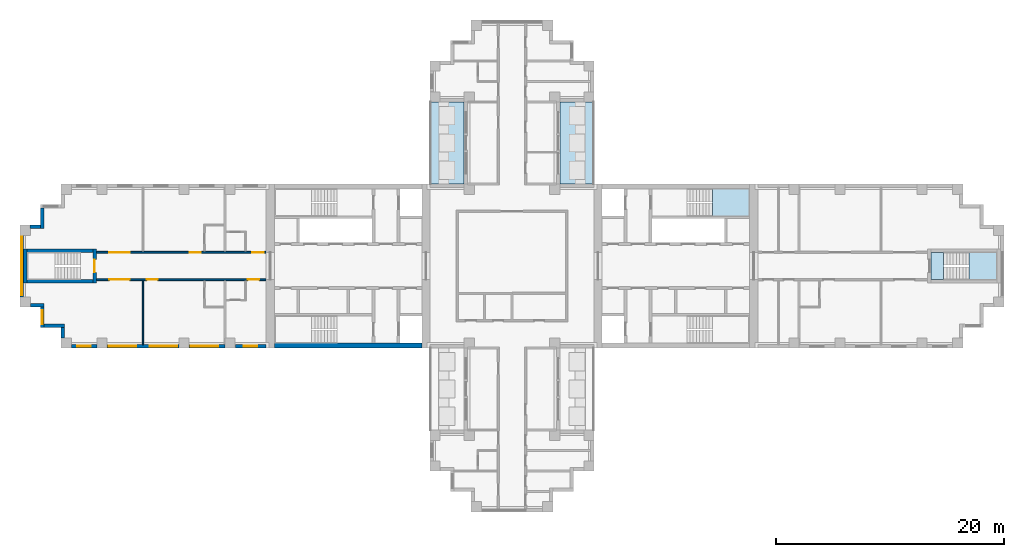
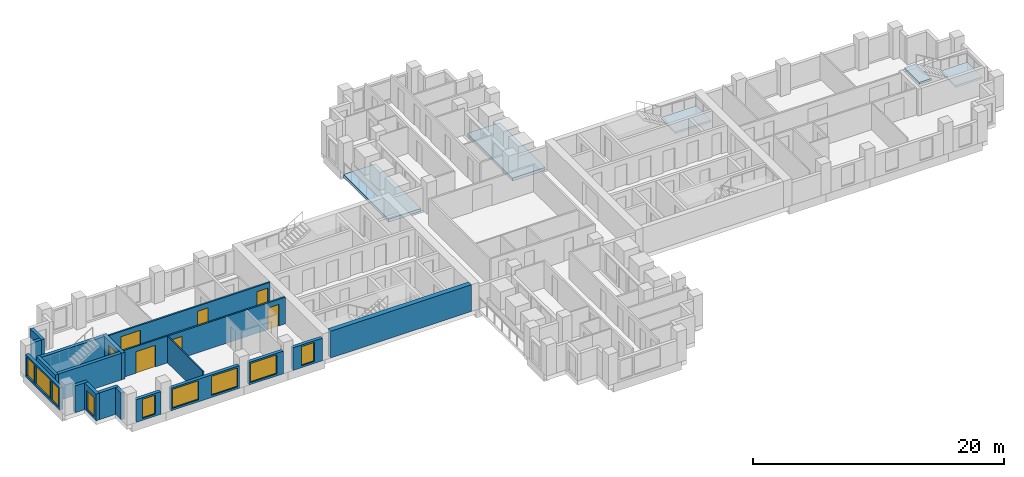
# One storey, part 2 of 11: 19 walls, 9 windows, 7 doors, 5 slabs, 16 openings, 2 elements without a shape of their own.
"""IFC4 building model written with IfcOpenShell, lengths in metres."""

from ifc_helpers import new_model, si_unit, direction, frame, frame_2d, origin, place, context, subcontext, project, spatial, polyline, rectangle, outline, extrude, material, layer, layer_set, type_object, element, fill, aggregate, save


model = new_model("IFC4")

# Units and contexts
model_context = context("Model", 3, precision=1e-05, world=origin(), true_north=direction((0.0, 1.0)))
body_context = subcontext(model_context, "Body", "Model", "MODEL_VIEW")
ifc_project = project(units=[si_unit("LENGTHUNIT", "METRE"), si_unit("AREAUNIT", "SQUARE_METRE"), si_unit("VOLUMEUNIT", "CUBIC_METRE"), si_unit("PLANEANGLEUNIT", "RADIAN"), si_unit("MASSUNIT", "GRAM", prefix="KILO")], contexts=[model_context])

# Site, building, storey
site_placement = place(None, origin())
site = spatial("IfcSite", under=ifc_project, at=site_placement, CompositionType="ELEMENT")
building_placement = place(site_placement, origin())
building = spatial("IfcBuilding", under=site, at=building_placement, Name="Fustian Cross Tower", CompositionType="ELEMENT")
storey_placement = place(building_placement, frame((0.0, 0.0, 123.300048828125)))
storey = spatial("IfcBuildingStorey", under=building, at=storey_placement, Name="L38", CompositionType="ELEMENT", Elevation=123.300048828125)

# Slabs
ifc_material_1 = material(Name="Concrete C40/50", Category="concrete")
ifc_layer_1 = layer(ifc_material_1, 0.300048828125)
ifc_layer_set_1 = layer_set([ifc_layer_1], Name="Concrete C40/50")
slab_type_1 = type_object("IfcSlabType", Name="BS1 BALCONY SLAB 300", PredefinedType="FLOOR", material=ifc_layer_set_1)
slab_1_placement = place(storey_placement, frame((0.0, 0.0, -0.300048828125)))
element("IfcSlab", 1, at=slab_1_placement, inside=storey, type_object=slab_type_1, Name="Balcony slab", PredefinedType="FLOOR", context=body_context, shape_type="SweptSolid", body=[
    extrude(outline(polyline([(4.199951171875, 7.199951171875), (7.199951171875, 7.199951171875), (7.199951171875, 14.39990234375), (4.199951171875, 14.39990234375), (4.199951171875, 7.199951171875)])), origin(), (0.0, 0.0, 1.0), 0.300048828125),
])
slab_2_placement = place(storey_placement, frame((0.0, 0.0, -0.300048828125)))
element("IfcSlab", 2, at=slab_2_placement, inside=storey, type_object=slab_type_1, Name="Balcony slab", PredefinedType="FLOOR", context=body_context, shape_type="SweptSolid", body=[
    extrude(outline(polyline([(-7.199951171875, 7.199951171875), (-4.199951171875, 7.199951171875), (-4.199951171875, 14.39990234375), (-7.199951171875, 14.39990234375), (-7.199951171875, 7.199951171875)])), origin(), (0.0, 0.0, 1.0), 0.300048828125),
])

# Stair, slab
ifc_material_2 = material(Name="Concrete C50/60", Category="concrete")
stair_type_1 = type_object("IfcStairType", Name="STAIR 1150 HALF TURN", PredefinedType="HALF_TURN_STAIR", material=ifc_material_2)
stair_1_placement = place(storey_placement, origin())
stair_1 = element("IfcStair", 3, at=stair_1_placement, inside=storey, type_object=stair_type_1, Name="Stair ST1", PredefinedType="HALF_TURN_STAIR")
ifc_material_3 = material(Name="Concrete C50/60", Category="concrete")
ifc_layer_2 = layer(ifc_material_3, 0.199951171875)
ifc_layer_set_2 = layer_set([ifc_layer_2], Name="Concrete C50/60")
slab_type_2 = type_object("IfcSlabType", Name="STAIR LANDING", PredefinedType="LANDING", material=ifc_layer_set_2)
slab_3_placement = place(storey_placement, frame((0.0, 0.0, 1.300048828125)))
slab_3 = element("IfcSlab", 4, at=slab_3_placement, type_object=slab_type_2, Name="ST1 landing 1", PredefinedType="LANDING", context=body_context, shape_type="SweptSolid", body=[
    extrude(outline(polyline([(17.590087890625, 4.39990234375), (20.85009765625, 4.39990234375), (20.85009765625, 6.75), (17.590087890625, 6.75), (17.590087890625, 4.39990234375)])), origin(), (0.0, 0.0, 1.0), 0.199951171875),
])
aggregate(stair_1, [slab_3])

# Stair, slabs
ifc_material_4 = material(Name="Concrete C50/60", Category="concrete")
stair_type_2 = type_object("IfcStairType", Name="STAIR 1100 HALF TURN", PredefinedType="HALF_TURN_STAIR", material=ifc_material_4)
stair_2_placement = place(storey_placement, origin())
stair_2 = element("IfcStair", 5, at=stair_2_placement, inside=storey, type_object=stair_type_2, Name="Stair ST8", PredefinedType="HALF_TURN_STAIR")
slab_4_placement = place(storey_placement, frame((0.0, 0.0, 1.300048828125)))
slab_4 = element("IfcSlab", 6, at=slab_4_placement, type_object=slab_type_2, Name="ST8 landing 1", PredefinedType="LANDING", context=body_context, shape_type="SweptSolid", body=[
    extrude(outline(polyline([(40.139892578125, -1.199951171875), (42.60009765625, -1.199951171875), (42.60009765625, 1.199951171875), (40.139892578125, 1.199951171875), (40.139892578125, -1.199951171875)])), origin(), (0.0, 0.0, 1.0), 0.199951171875),
])
slab_5_placement = place(storey_placement, frame((0.0, 0.0, 2.800048828125)))
slab_5 = element("IfcSlab", 7, at=slab_5_placement, type_object=slab_type_2, Name="ST8 landing 2", PredefinedType="LANDING", context=body_context, shape_type="SweptSolid", body=[
    extrude(outline(polyline([(36.800048828125, -1.199951171875), (37.89990234375, -1.199951171875), (37.89990234375, 1.199951171875), (36.800048828125, 1.199951171875), (36.800048828125, -1.199951171875)])), origin(), (0.0, 0.0, 1.0), 0.199951171875),
])
aggregate(stair_2, [slab_4, slab_5])

# Wall, openings, doors
ifc_material_5 = material(Name="Plasterboard on steel stud", Category="steel")
ifc_layer_3 = layer(ifc_material_5, 0.14990234375)
ifc_layer_set_3 = layer_set([ifc_layer_3], Name="Plasterboard on steel stud")
wall_type_1 = type_object("IfcWallType", Name="COMPARTMENT WALL 150 EI 60", PredefinedType="PARTITIONING", material=ifc_layer_set_3)
wall_1_placement = place(storey_placement, frame((-36.5, -1.199951171875, 0.0), z_axis=(0.0, 0.0, 1.0), x_axis=(1.0, 0.0, 0.0)))
wall_1 = element("IfcWall", 8, at=wall_1_placement, inside=storey, type_object=wall_type_1, Name="Partition 1", PredefinedType="PARTITIONING", context=body_context, shape_type="SweptSolid", body=[
    extrude(rectangle(XDim=14.89990234375, YDim=0.14990234375, at=frame_2d((7.449951171875, 0.0))), origin(), (0.0, 0.0, 1.0), 2.599853515625),
])
opening_1_placement = place(wall_1_placement, frame((13.300048828125, 0.0, 0.0)))
opening_1 = element("IfcOpeningElement", 9, at=opening_1_placement, cuts=wall_1, Name="Opening D18024", PredefinedType="OPENING", context=body_context, shape_type="SweptSolid", body=[
    extrude(rectangle(XDim=1.0, YDim=2.10009765625, at=frame_2d((0.5, 1.050048828125))), frame((0.0, 0.0849609375, 0.0), z_axis=(0.0, -1.0, 0.0), x_axis=(1.0, 0.0, 0.0)), (0.0, 0.0, 1.0), 0.169921875),
])
opening_2_placement = place(wall_1_placement, frame((4.409912109375, 0.0, 0.0)))
opening_2 = element("IfcOpeningElement", 10, at=opening_2_placement, cuts=wall_1, Name="Opening D18026", PredefinedType="OPENING", context=body_context, shape_type="SweptSolid", body=[
    extrude(rectangle(XDim=1.0, YDim=2.10009765625, at=frame_2d((0.5, 1.050048828125))), frame((0.0, 0.0849609375, 0.0), z_axis=(0.0, -1.0, 0.0), x_axis=(1.0, 0.0, 0.0)), (0.0, 0.0, 1.0), 0.169921875),
])
opening_3_placement = place(wall_1_placement, frame((1.14990234375, 0.0, 0.0)))
opening_3 = element("IfcOpeningElement", 11, at=opening_3_placement, cuts=wall_1, Name="Opening D18027", PredefinedType="OPENING", context=body_context, shape_type="SweptSolid", body=[
    extrude(rectangle(XDim=1.800048828125, YDim=2.10009765625, at=frame_2d((0.89990234375, 1.050048828125))), frame((0.0, 0.0849609375, 0.0), z_axis=(0.0, -1.0, 0.0), x_axis=(1.0, 0.0, 0.0)), (0.0, 0.0, 1.0), 0.169921875),
])
ifc_material_6 = material(Name="Timber fire door set", Category="wood")
door_type_1 = type_object("IfcDoorType", Name="FIRE DOUBLE DOOR 1800 FD30S", OperationType="DOUBLE_DOOR_DOUBLE_SWING", PredefinedType="DOOR", material=ifc_material_6)
door_1_placement = place(opening_3_placement, origin())
door_1 = element("IfcDoor", 12, at=door_1_placement, inside=storey, type_object=door_type_1, Name="Door D18027", OperationType="DOUBLE_DOOR_DOUBLE_SWING", OverallHeight=2.10009765625, OverallWidth=1.800048828125, PredefinedType="DOOR", context=body_context, shape_type="SweptSolid", body=[
    extrude(rectangle(XDim=1.800048828125, YDim=2.10009765625, at=frame_2d((0.89990234375, 1.050048828125))), frame((0.0, 0.02490234375, 0.0), z_axis=(0.0, -1.0, 0.0), x_axis=(1.0, 0.0, 0.0)), (0.0, 0.0, 1.0), 0.050048828125),
])
fill(opening_3, door_1)
ifc_material_7 = material(Name="Timber fire door set", Category="wood")
door_type_2 = type_object("IfcDoorType", Name="FIRE SWING DOOR 1000 FD30S", OperationType="SINGLE_SWING_LEFT", PredefinedType="DOOR", material=ifc_material_7)
door_2_placement = place(opening_1_placement, frame((1.0, 0.0, 0.0), z_axis=(0.0, 0.0, 1.0), x_axis=(-1.0, 0.0, 0.0)))
door_2 = element("IfcDoor", 13, at=door_2_placement, inside=storey, type_object=door_type_2, Name="Door D18024", OperationType="SINGLE_SWING_RIGHT", OverallHeight=2.10009765625, OverallWidth=1.0, PredefinedType="DOOR", context=body_context, shape_type="SweptSolid", body=[
    extrude(rectangle(XDim=1.0, YDim=2.10009765625, at=frame_2d((0.5, 1.050048828125))), frame((0.0, 0.02490234375, 0.0), z_axis=(0.0, -1.0, 0.0), x_axis=(1.0, 0.0, 0.0)), (0.0, 0.0, 1.0), 0.050048828125),
])
fill(opening_1, door_2)
door_3_placement = place(opening_2_placement, frame((1.0, 0.0, 0.0), z_axis=(0.0, 0.0, 1.0), x_axis=(-1.0, 0.0, 0.0)))
door_3 = element("IfcDoor", 14, at=door_3_placement, inside=storey, type_object=door_type_2, Name="Door D18026", OperationType="SINGLE_SWING_RIGHT", OverallHeight=2.10009765625, OverallWidth=1.0, PredefinedType="DOOR", context=body_context, shape_type="SweptSolid", body=[
    extrude(rectangle(XDim=1.0, YDim=2.10009765625, at=frame_2d((0.5, 1.050048828125))), frame((0.0, 0.02490234375, 0.0), z_axis=(0.0, -1.0, 0.0), x_axis=(1.0, 0.0, 0.0)), (0.0, 0.0, 1.0), 0.050048828125),
])
fill(opening_2, door_3)

wall_2_placement = place(storey_placement, frame((-36.5, 1.199951171875, 0.0), z_axis=(0.0, 0.0, 1.0), x_axis=(1.0, 0.0, 0.0)))
wall_2 = element("IfcWall", 15, at=wall_2_placement, inside=storey, type_object=wall_type_1, Name="Partition 2", PredefinedType="PARTITIONING", context=body_context, shape_type="SweptSolid", body=[
    extrude(rectangle(XDim=14.89990234375, YDim=0.14990234375, at=frame_2d((7.449951171875, 0.0))), origin(), (0.0, 0.0, 1.0), 2.599853515625),
])
opening_4_placement = place(wall_2_placement, frame((13.699951171875, 0.0, 0.0)))
opening_4 = element("IfcOpeningElement", 16, at=opening_4_placement, cuts=wall_2, Name="Opening D18029", PredefinedType="OPENING", context=body_context, shape_type="SweptSolid", body=[
    extrude(rectangle(XDim=1.0, YDim=2.10009765625, at=frame_2d((0.5, 1.050048828125))), frame((0.0, 0.0849609375, 0.0), z_axis=(0.0, -1.0, 0.0), x_axis=(1.0, 0.0, 0.0)), (0.0, 0.0, 1.0), 0.169921875),
])
opening_5_placement = place(wall_2_placement, frame((8.18994140625, 0.0, 0.0)))
opening_5 = element("IfcOpeningElement", 17, at=opening_5_placement, cuts=wall_2, Name="Opening D18031", PredefinedType="OPENING", context=body_context, shape_type="SweptSolid", body=[
    extrude(rectangle(XDim=1.0, YDim=2.10009765625, at=frame_2d((0.5, 1.050048828125))), frame((0.0, 0.0849609375, 0.0), z_axis=(0.0, -1.0, 0.0), x_axis=(1.0, 0.0, 0.0)), (0.0, 0.0, 1.0), 0.169921875),
])
opening_6_placement = place(wall_2_placement, frame((1.14990234375, 0.0, 0.0)))
opening_6 = element("IfcOpeningElement", 18, at=opening_6_placement, cuts=wall_2, Name="Opening D18032", PredefinedType="OPENING", context=body_context, shape_type="SweptSolid", body=[
    extrude(rectangle(XDim=1.800048828125, YDim=2.10009765625, at=frame_2d((0.89990234375, 1.050048828125))), frame((0.0, 0.0849609375, 0.0), z_axis=(0.0, -1.0, 0.0), x_axis=(1.0, 0.0, 0.0)), (0.0, 0.0, 1.0), 0.169921875),
])
door_4_placement = place(opening_6_placement, frame((1.800048828125, 0.0, 0.0), z_axis=(0.0, 0.0, 1.0), x_axis=(-1.0, 0.0, 0.0)))
door_4 = element("IfcDoor", 19, at=door_4_placement, inside=storey, type_object=door_type_1, Name="Door D18032", OperationType="DOUBLE_DOOR_DOUBLE_SWING", OverallHeight=2.10009765625, OverallWidth=1.800048828125, PredefinedType="DOOR", context=body_context, shape_type="SweptSolid", body=[
    extrude(rectangle(XDim=1.800048828125, YDim=2.10009765625, at=frame_2d((0.89990234375, 1.050048828125))), frame((0.0, 0.02490234375, 0.0), z_axis=(0.0, -1.0, 0.0), x_axis=(1.0, 0.0, 0.0)), (0.0, 0.0, 1.0), 0.050048828125),
])
fill(opening_6, door_4)
door_5_placement = place(opening_4_placement, origin())
door_5 = element("IfcDoor", 20, at=door_5_placement, inside=storey, type_object=door_type_2, Name="Door D18029", OperationType="SINGLE_SWING_RIGHT", OverallHeight=2.10009765625, OverallWidth=1.0, PredefinedType="DOOR", context=body_context, shape_type="SweptSolid", body=[
    extrude(rectangle(XDim=1.0, YDim=2.10009765625, at=frame_2d((0.5, 1.050048828125))), frame((0.0, 0.02490234375, 0.0), z_axis=(0.0, -1.0, 0.0), x_axis=(1.0, 0.0, 0.0)), (0.0, 0.0, 1.0), 0.050048828125),
])
fill(opening_4, door_5)
door_6_placement = place(opening_5_placement, origin())
door_6 = element("IfcDoor", 21, at=door_6_placement, inside=storey, type_object=door_type_2, Name="Door D18031", OperationType="SINGLE_SWING_RIGHT", OverallHeight=2.10009765625, OverallWidth=1.0, PredefinedType="DOOR", context=body_context, shape_type="SweptSolid", body=[
    extrude(rectangle(XDim=1.0, YDim=2.10009765625, at=frame_2d((0.5, 1.050048828125))), frame((0.0, 0.02490234375, 0.0), z_axis=(0.0, -1.0, 0.0), x_axis=(1.0, 0.0, 0.0)), (0.0, 0.0, 1.0), 0.050048828125),
])
fill(opening_5, door_6)

# Walls
ifc_material_8 = material(Name="Concrete C60/75", Category="concrete")
ifc_layer_4 = layer(ifc_material_8, 0.449951171875)
ifc_layer_set_4 = layer_set([ifc_layer_4], Name="Concrete C60/75")
wall_type_2 = type_object("IfcWallType", Name="CORE FACADE WALL 450 C60/75", PredefinedType="SHEAR", material=ifc_layer_set_4)
wall_3_placement = place(storey_placement, frame((-7.89990234375, -6.97509765625, 0.0), z_axis=(0.0, 0.0, 1.0), x_axis=(-1.0, 0.0, 0.0)))
element("IfcWall", 22, at=wall_3_placement, inside=storey, type_object=wall_type_2, Name="Core facade wall", PredefinedType="SHEAR", context=body_context, shape_type="SweptSolid", body=[
    extrude(rectangle(XDim=12.9501953125, YDim=0.449951171875, at=frame_2d((6.47509765625, 0.0))), origin(), (0.0, 0.0, 1.0), 2.599853515625),
])
ifc_material_9 = material(Name="Plasterboard on steel stud", Category="steel")
ifc_layer_5 = layer(ifc_material_9, 0.10009765625)
ifc_layer_set_5 = layer_set([ifc_layer_5], Name="Plasterboard on steel stud")
wall_type_3 = type_object("IfcWallType", Name="PARTITION 100 STUD", PredefinedType="PARTITIONING", material=ifc_layer_set_5)
wall_4_placement = place(storey_placement, frame((-32.39990234375, -6.89990234375, 0.0), z_axis=(0.0, 0.0, 1.0), x_axis=(0.0, 1.0, 0.0)))
element("IfcWall", 23, at=wall_4_placement, inside=storey, type_object=wall_type_3, Name="Partition 3", PredefinedType="PARTITIONING", context=body_context, shape_type="SweptSolid", body=[
    extrude(rectangle(XDim=5.625, YDim=0.10009765625, at=frame_2d((2.8125, 0.0))), origin(), (0.0, 0.0, 1.0), 2.599853515625),
])

# Wall, opening, door
ifc_material_10 = material(Name="Concrete C50/60", Category="concrete")
ifc_layer_6 = layer(ifc_material_10, 0.300048828125)
ifc_layer_set_6 = layer_set([ifc_layer_6], Name="Concrete C50/60")
wall_type_4 = type_object("IfcWallType", Name="STAIR ENCLOSURE WALL 300 C50/60", PredefinedType="SHEAR", material=ifc_layer_set_6)
wall_5_placement = place(storey_placement, frame((-36.64990234375, -1.5, 0.0), z_axis=(0.0, 0.0, 1.0), x_axis=(0.0, 1.0, 0.0)))
wall_5 = element("IfcWall", 24, at=wall_5_placement, inside=storey, type_object=wall_type_4, Name="Stair enclosure wall", PredefinedType="SHEAR", context=body_context, shape_type="SweptSolid", body=[
    extrude(rectangle(XDim=3.0, YDim=0.300048828125, at=frame_2d((1.5, 0.0))), origin(), (0.0, 0.0, 1.0), 2.599853515625),
])
opening_7_placement = place(wall_5_placement, frame((0.949951171875, 0.0, 0.0)))
opening_7 = element("IfcOpeningElement", 25, at=opening_7_placement, cuts=wall_5, Name="Opening CD-16-36", PredefinedType="OPENING", context=body_context, shape_type="SweptSolid", body=[
    extrude(rectangle(XDim=1.10009765625, YDim=2.10009765625, at=frame_2d((0.550048828125, 1.050048828125))), frame((0.0, 0.159912109375, 0.0), z_axis=(0.0, -1.0, 0.0), x_axis=(1.0, 0.0, 0.0)), (0.0, 0.0, 1.0), 0.320068359375),
])
ifc_material_11 = material(Name="Steel", Category="steel")
door_type_3 = type_object("IfcDoorType", Name="FIRE DOOR FD60S 1100X2100", OperationType="SINGLE_SWING_LEFT", PredefinedType="DOOR", material=ifc_material_11)
door_7_placement = place(opening_7_placement, origin())
door_7 = element("IfcDoor", 26, at=door_7_placement, inside=storey, type_object=door_type_3, Name="Core door CD-16-36", OperationType="SINGLE_SWING_LEFT", OverallHeight=2.10009765625, OverallWidth=1.10009765625, PredefinedType="DOOR", context=body_context, shape_type="SweptSolid", body=[
    extrude(rectangle(XDim=1.10009765625, YDim=2.10009765625, at=frame_2d((0.550048828125, 1.050048828125))), frame((0.0, 0.02490234375, 0.0), z_axis=(0.0, -1.0, 0.0), x_axis=(1.0, 0.0, 0.0)), (0.0, 0.0, 1.0), 0.050048828125),
])
fill(opening_7, door_7)

# Walls
wall_6_placement = place(storey_placement, frame((-42.75, -1.5, 0.0), z_axis=(0.0, 0.0, 1.0), x_axis=(0.0, 1.0, 0.0)))
element("IfcWall", 27, at=wall_6_placement, inside=storey, type_object=wall_type_4, Name="Stair enclosure wall", PredefinedType="SHEAR", context=body_context, shape_type="SweptSolid", body=[
    extrude(rectangle(XDim=3.0, YDim=0.300048828125, at=frame_2d((1.5, 0.0))), origin(), (0.0, 0.0, 1.0), 2.599853515625),
])
for number, where, z_axis, x_axis, name in (
    (28, (-36.800048828125, -1.35009765625, 0.0), (0.0, 0.0, 1.0), (-1.0, 0.0, 0.0), "Stair enclosure wall"),
    (29, (-36.800048828125, 1.35009765625, 0.0), (0.0, 0.0, 1.0), (-1.0, 0.0, 0.0), "Stair enclosure wall"),
):
    element("IfcWall", number, at=place(storey_placement, frame(where, z_axis=z_axis, x_axis=x_axis)), inside=storey, type_object=wall_type_4, Name=name, PredefinedType="SHEAR", context=body_context, shape_type="SweptSolid", body=[
        extrude(rectangle(XDim=5.800048828125, YDim=0.300048828125, at=frame_2d((2.89990234375, 0.0))), origin(), (0.0, 0.0, 1.0), 2.599853515625),
    ])
ifc_material_12 = material(Name="Dark aluminium cladding on insulated backing wall", Category="aluminium")
ifc_layer_7 = layer(ifc_material_12, 0.300048828125)
ifc_layer_set_7 = layer_set([ifc_layer_7], Name="Dark aluminium cladding on insulated backing wall")
wall_type_5 = type_object("IfcWallType", Name="XW1 EXTERNAL WALL 300", PredefinedType="SOLIDWALL", material=ifc_layer_set_7)
wall_7_placement = place(storey_placement, frame((-41.25, 5.10009765625, 0.0), z_axis=(0.0, 0.0, 1.0), x_axis=(0.0, -1.0, 0.0)))
element("IfcWall", 30, at=wall_7_placement, inside=storey, type_object=wall_type_5, Name="External wall", PredefinedType="SOLIDWALL", context=body_context, shape_type="SweptSolid", body=[
    extrude(rectangle(XDim=1.800048828125, YDim=0.300048828125, at=frame_2d((0.89990234375, 0.0))), origin(), (0.0, 0.0, 1.0), 2.599853515625),
])
wall_8_placement = place(storey_placement, frame((-41.39990234375, 3.449951171875, 0.0), z_axis=(0.0, 0.0, 1.0), x_axis=(-1.0, 0.0, 0.0)))
element("IfcWall", 31, at=wall_8_placement, inside=storey, type_object=wall_type_5, Name="External wall", PredefinedType="SOLIDWALL", context=body_context, shape_type="SweptSolid", body=[
    extrude(rectangle(XDim=0.900146484375, YDim=0.300048828125, at=frame_2d((0.4501953125, 0.0))), origin(), (0.0, 0.0, 1.0), 2.599853515625),
])

# Wall, openings, windows
wall_9_placement = place(storey_placement, frame((-43.050048828125, 2.699951171875, 0.0), z_axis=(0.0, 0.0, 1.0), x_axis=(0.0, -1.0, 0.0)))
wall_9 = element("IfcWall", 32, at=wall_9_placement, inside=storey, type_object=wall_type_5, Name="External wall", PredefinedType="SOLIDWALL", context=body_context, shape_type="SweptSolid", body=[
    extrude(rectangle(XDim=5.39990234375, YDim=0.300048828125, at=frame_2d((2.699951171875, 0.0))), origin(), (0.0, 0.0, 1.0), 2.199951171875),
])
opening_8_placement = place(wall_9_placement, frame((1.5, 0.0, 0.199951171875)))
opening_8 = element("IfcOpeningElement", 33, at=opening_8_placement, cuts=wall_9, Name="Opening WN1", PredefinedType="OPENING", context=body_context, shape_type="SweptSolid", body=[
    extrude(rectangle(XDim=2.39990234375, YDim=1.85009765625, at=frame_2d((1.199951171875, 0.925048828125))), frame((0.0, 0.159912109375, 0.0), z_axis=(0.0, -1.0, 0.0), x_axis=(1.0, 0.0, 0.0)), (0.0, 0.0, 1.0), 0.320068359375),
])
opening_9_placement = place(wall_9_placement, frame((0.14990234375, 0.0, 0.199951171875)))
opening_9 = element("IfcOpeningElement", 34, at=opening_9_placement, cuts=wall_9, Name="Opening WN3", PredefinedType="OPENING", context=body_context, shape_type="SweptSolid", body=[
    extrude(rectangle(XDim=1.199951171875, YDim=1.85009765625, at=frame_2d((0.60009765625, 0.925048828125))), frame((0.0, 0.159912109375, 0.0), z_axis=(0.0, -1.0, 0.0), x_axis=(1.0, 0.0, 0.0)), (0.0, 0.0, 1.0), 0.320068359375),
])
opening_10_placement = place(wall_9_placement, frame((4.050048828125, 0.0, 0.199951171875)))
opening_10 = element("IfcOpeningElement", 35, at=opening_10_placement, cuts=wall_9, Name="Opening WN3", PredefinedType="OPENING", context=body_context, shape_type="SweptSolid", body=[
    extrude(rectangle(XDim=1.199951171875, YDim=1.85009765625, at=frame_2d((0.60009765625, 0.925048828125))), frame((0.0, 0.159912109375, 0.0), z_axis=(0.0, -1.0, 0.0), x_axis=(1.0, 0.0, 0.0)), (0.0, 0.0, 1.0), 0.320068359375),
])
ifc_material_13 = material(Name="Dark anodised aluminium and double glazing", Category="aluminium")
window_type_1 = type_object("IfcWindowType", Name="WN1 WINDOW 2400X1850", PartitioningType="SINGLE_PANEL", PredefinedType="WINDOW", material=ifc_material_13)
window_1_placement = place(opening_8_placement, origin())
window_1 = element("IfcWindow", 36, at=window_1_placement, inside=storey, type_object=window_type_1, Name="Window", OverallHeight=1.85009765625, OverallWidth=2.39990234375, PartitioningType="SINGLE_PANEL", PredefinedType="WINDOW", context=body_context, shape_type="SweptSolid", body=[
    extrude(rectangle(XDim=2.39990234375, YDim=1.85009765625, at=frame_2d((1.199951171875, 0.925048828125))), frame((0.0, 0.030029296875, 0.0), z_axis=(0.0, -1.0, 0.0), x_axis=(1.0, 0.0, 0.0)), (0.0, 0.0, 1.0), 0.06005859375),
])
fill(opening_8, window_1)
ifc_material_14 = material(Name="Dark anodised aluminium and double glazing", Category="aluminium")
window_type_2 = type_object("IfcWindowType", Name="WN3 WINDOW 1200X1850", PartitioningType="SINGLE_PANEL", PredefinedType="WINDOW", material=ifc_material_14)
window_2_placement = place(opening_9_placement, origin())
window_2 = element("IfcWindow", 37, at=window_2_placement, inside=storey, type_object=window_type_2, Name="Window", OverallHeight=1.85009765625, OverallWidth=1.199951171875, PartitioningType="SINGLE_PANEL", PredefinedType="WINDOW", context=body_context, shape_type="SweptSolid", body=[
    extrude(rectangle(XDim=1.199951171875, YDim=1.85009765625, at=frame_2d((0.60009765625, 0.925048828125))), frame((0.0, 0.030029296875, 0.0), z_axis=(0.0, -1.0, 0.0), x_axis=(1.0, 0.0, 0.0)), (0.0, 0.0, 1.0), 0.06005859375),
])
fill(opening_9, window_2)
window_3_placement = place(opening_10_placement, origin())
window_3 = element("IfcWindow", 38, at=window_3_placement, inside=storey, type_object=window_type_2, Name="Window", OverallHeight=1.85009765625, OverallWidth=1.199951171875, PartitioningType="SINGLE_PANEL", PredefinedType="WINDOW", context=body_context, shape_type="SweptSolid", body=[
    extrude(rectangle(XDim=1.199951171875, YDim=1.85009765625, at=frame_2d((0.60009765625, 0.925048828125))), frame((0.0, 0.030029296875, 0.0), z_axis=(0.0, -1.0, 0.0), x_axis=(1.0, 0.0, 0.0)), (0.0, 0.0, 1.0), 0.06005859375),
])
fill(opening_10, window_3)

# Wall
wall_10_placement = place(storey_placement, frame((-42.300048828125, -3.449951171875, 0.0), z_axis=(0.0, 0.0, 1.0), x_axis=(1.0, 0.0, 0.0)))
element("IfcWall", 39, at=wall_10_placement, inside=storey, type_object=wall_type_5, Name="External wall", PredefinedType="SOLIDWALL", context=body_context, shape_type="SweptSolid", body=[
    extrude(rectangle(XDim=1.199951171875, YDim=0.300048828125, at=frame_2d((0.60009765625, 0.0))), origin(), (0.0, 0.0, 1.0), 2.599853515625),
])

# Wall, opening, window
wall_11_placement = place(storey_placement, frame((-41.25, -3.60009765625, 0.0), z_axis=(0.0, 0.0, 1.0), x_axis=(0.0, -1.0, 0.0)))
wall_11 = element("IfcWall", 40, at=wall_11_placement, inside=storey, type_object=wall_type_5, Name="External wall", PredefinedType="SOLIDWALL", context=body_context, shape_type="SweptSolid", body=[
    extrude(rectangle(XDim=1.7998046875, YDim=0.300048828125, at=frame_2d((0.89990234375, 0.0))), origin(), (0.0, 0.0, 1.0), 2.599853515625),
])
opening_11_placement = place(wall_11_placement, frame((0.300048828125, 0.0, 0.199951171875)))
opening_11 = element("IfcOpeningElement", 41, at=opening_11_placement, cuts=wall_11, Name="Opening WN3", PredefinedType="OPENING", context=body_context, shape_type="SweptSolid", body=[
    extrude(rectangle(XDim=1.199951171875, YDim=1.85009765625, at=frame_2d((0.60009765625, 0.925048828125))), frame((0.0, 0.159912109375, 0.0), z_axis=(0.0, -1.0, 0.0), x_axis=(1.0, 0.0, 0.0)), (0.0, 0.0, 1.0), 0.320068359375),
])
window_4_placement = place(opening_11_placement, origin())
window_4 = element("IfcWindow", 42, at=window_4_placement, inside=storey, type_object=window_type_2, Name="Window", OverallHeight=1.85009765625, OverallWidth=1.199951171875, PartitioningType="SINGLE_PANEL", PredefinedType="WINDOW", context=body_context, shape_type="SweptSolid", body=[
    extrude(rectangle(XDim=1.199951171875, YDim=1.85009765625, at=frame_2d((0.60009765625, 0.925048828125))), frame((0.0, 0.030029296875, 0.0), z_axis=(0.0, -1.0, 0.0), x_axis=(1.0, 0.0, 0.0)), (0.0, 0.0, 1.0), 0.06005859375),
])
fill(opening_11, window_4)

# Walls
wall_12_placement = place(storey_placement, frame((-41.10009765625, -5.25, 0.0), z_axis=(0.0, 0.0, 1.0), x_axis=(1.0, 0.0, 0.0)))
element("IfcWall", 43, at=wall_12_placement, inside=storey, type_object=wall_type_5, Name="External wall", PredefinedType="SOLIDWALL", context=body_context, shape_type="SweptSolid", body=[
    extrude(rectangle(XDim=1.800048828125, YDim=0.300048828125, at=frame_2d((0.89990234375, 0.0))), origin(), (0.0, 0.0, 1.0), 2.599853515625),
])
wall_13_placement = place(storey_placement, frame((-39.449951171875, -5.39990234375, 0.0), z_axis=(0.0, 0.0, 1.0), x_axis=(0.0, -1.0, 0.0)))
element("IfcWall", 44, at=wall_13_placement, inside=storey, type_object=wall_type_5, Name="External wall", PredefinedType="SOLIDWALL", context=body_context, shape_type="SweptSolid", body=[
    extrude(rectangle(XDim=0.900146484375, YDim=0.300048828125, at=frame_2d((0.4501953125, 0.0))), origin(), (0.0, 0.0, 1.0), 2.599853515625),
])

# Wall, opening, window
wall_14_placement = place(storey_placement, frame((-38.699951171875, -7.050048828125, 0.0), z_axis=(0.0, 0.0, 1.0), x_axis=(1.0, 0.0, 0.0)))
wall_14 = element("IfcWall", 45, at=wall_14_placement, inside=storey, type_object=wall_type_5, Name="External wall", PredefinedType="SOLIDWALL", context=body_context, shape_type="SweptSolid", body=[
    extrude(rectangle(XDim=2.25, YDim=0.300048828125, at=frame_2d((1.125, 0.0))), origin(), (0.0, 0.0, 1.0), 2.199951171875),
])
opening_12_placement = place(wall_14_placement, frame((0.52490234375, 0.0, 0.199951171875)))
opening_12 = element("IfcOpeningElement", 46, at=opening_12_placement, cuts=wall_14, Name="Opening WN3", PredefinedType="OPENING", context=body_context, shape_type="SweptSolid", body=[
    extrude(rectangle(XDim=1.199951171875, YDim=1.85009765625, at=frame_2d((0.60009765625, 0.925048828125))), frame((0.0, 0.159912109375, 0.0), z_axis=(0.0, -1.0, 0.0), x_axis=(1.0, 0.0, 0.0)), (0.0, 0.0, 1.0), 0.320068359375),
])
window_5_placement = place(opening_12_placement, origin())
window_5 = element("IfcWindow", 47, at=window_5_placement, inside=storey, type_object=window_type_2, Name="Window", OverallHeight=1.85009765625, OverallWidth=1.199951171875, PartitioningType="SINGLE_PANEL", PredefinedType="WINDOW", context=body_context, shape_type="SweptSolid", body=[
    extrude(rectangle(XDim=1.199951171875, YDim=1.85009765625, at=frame_2d((0.60009765625, 0.925048828125))), frame((0.0, 0.030029296875, 0.0), z_axis=(0.0, -1.0, 0.0), x_axis=(1.0, 0.0, 0.0)), (0.0, 0.0, 1.0), 0.06005859375),
])
fill(opening_12, window_5)

# Wall, openings, windows
wall_15_placement = place(storey_placement, frame((-35.550048828125, -7.050048828125, 0.0), z_axis=(0.0, 0.0, 1.0), x_axis=(1.0, 0.0, 0.0)))
wall_15 = element("IfcWall", 48, at=wall_15_placement, inside=storey, type_object=wall_type_5, Name="External wall", PredefinedType="SOLIDWALL", context=body_context, shape_type="SweptSolid", body=[
    extrude(rectangle(XDim=6.300048828125, YDim=0.300048828125, at=frame_2d((3.14990234375, 0.0))), origin(), (0.0, 0.0, 1.0), 2.199951171875),
])
opening_13_placement = place(wall_15_placement, frame((0.14990234375, 0.0, 0.199951171875)))
opening_13 = element("IfcOpeningElement", 49, at=opening_13_placement, cuts=wall_15, Name="Opening WN1", PredefinedType="OPENING", context=body_context, shape_type="SweptSolid", body=[
    extrude(rectangle(XDim=2.39990234375, YDim=1.85009765625, at=frame_2d((1.199951171875, 0.925048828125))), frame((0.0, 0.159912109375, 0.0), z_axis=(0.0, -1.0, 0.0), x_axis=(1.0, 0.0, 0.0)), (0.0, 0.0, 1.0), 0.320068359375),
])
opening_14_placement = place(wall_15_placement, frame((3.75, 0.0, 0.199951171875)))
opening_14 = element("IfcOpeningElement", 50, at=opening_14_placement, cuts=wall_15, Name="Opening WN1", PredefinedType="OPENING", context=body_context, shape_type="SweptSolid", body=[
    extrude(rectangle(XDim=2.39990234375, YDim=1.85009765625, at=frame_2d((1.199951171875, 0.925048828125))), frame((0.0, 0.159912109375, 0.0), z_axis=(0.0, -1.0, 0.0), x_axis=(1.0, 0.0, 0.0)), (0.0, 0.0, 1.0), 0.320068359375),
])
window_6_placement = place(opening_13_placement, origin())
window_6 = element("IfcWindow", 51, at=window_6_placement, inside=storey, type_object=window_type_1, Name="Window", OverallHeight=1.85009765625, OverallWidth=2.39990234375, PartitioningType="SINGLE_PANEL", PredefinedType="WINDOW", context=body_context, shape_type="SweptSolid", body=[
    extrude(rectangle(XDim=2.39990234375, YDim=1.85009765625, at=frame_2d((1.199951171875, 0.925048828125))), frame((0.0, 0.030029296875, 0.0), z_axis=(0.0, -1.0, 0.0), x_axis=(1.0, 0.0, 0.0)), (0.0, 0.0, 1.0), 0.06005859375),
])
fill(opening_13, window_6)
window_7_placement = place(opening_14_placement, origin())
window_7 = element("IfcWindow", 52, at=window_7_placement, inside=storey, type_object=window_type_1, Name="Window", OverallHeight=1.85009765625, OverallWidth=2.39990234375, PartitioningType="SINGLE_PANEL", PredefinedType="WINDOW", context=body_context, shape_type="SweptSolid", body=[
    extrude(rectangle(XDim=2.39990234375, YDim=1.85009765625, at=frame_2d((1.199951171875, 0.925048828125))), frame((0.0, 0.030029296875, 0.0), z_axis=(0.0, -1.0, 0.0), x_axis=(1.0, 0.0, 0.0)), (0.0, 0.0, 1.0), 0.06005859375),
])
fill(opening_14, window_7)

# Wall, opening, window
wall_16_placement = place(storey_placement, frame((-28.35009765625, -7.050048828125, 0.0), z_axis=(0.0, 0.0, 1.0), x_axis=(1.0, 0.0, 0.0)))
wall_16 = element("IfcWall", 53, at=wall_16_placement, inside=storey, type_object=wall_type_5, Name="External wall", PredefinedType="SOLIDWALL", context=body_context, shape_type="SweptSolid", body=[
    extrude(rectangle(XDim=3.150146484375, YDim=0.300048828125, at=frame_2d((1.5751953125, 0.0))), origin(), (0.0, 0.0, 1.0), 2.199951171875),
])
opening_15_placement = place(wall_16_placement, frame((0.14990234375, 0.0, 0.199951171875)))
opening_15 = element("IfcOpeningElement", 54, at=opening_15_placement, cuts=wall_16, Name="Opening WN1", PredefinedType="OPENING", context=body_context, shape_type="SweptSolid", body=[
    extrude(rectangle(XDim=2.39990234375, YDim=1.85009765625, at=frame_2d((1.199951171875, 0.925048828125))), frame((0.0, 0.159912109375, 0.0), z_axis=(0.0, -1.0, 0.0), x_axis=(1.0, 0.0, 0.0)), (0.0, 0.0, 1.0), 0.320068359375),
])
window_8_placement = place(opening_15_placement, origin())
window_8 = element("IfcWindow", 55, at=window_8_placement, inside=storey, type_object=window_type_1, Name="Window", OverallHeight=1.85009765625, OverallWidth=2.39990234375, PartitioningType="SINGLE_PANEL", PredefinedType="WINDOW", context=body_context, shape_type="SweptSolid", body=[
    extrude(rectangle(XDim=2.39990234375, YDim=1.85009765625, at=frame_2d((1.199951171875, 0.925048828125))), frame((0.0, 0.030029296875, 0.0), z_axis=(0.0, -1.0, 0.0), x_axis=(1.0, 0.0, 0.0)), (0.0, 0.0, 1.0), 0.06005859375),
])
fill(opening_15, window_8)

wall_17_placement = place(storey_placement, frame((-24.300048828125, -7.050048828125, 0.0), z_axis=(0.0, 0.0, 1.0), x_axis=(1.0, 0.0, 0.0)))
wall_17 = element("IfcWall", 56, at=wall_17_placement, inside=storey, type_object=wall_type_5, Name="External wall", PredefinedType="SOLIDWALL", context=body_context, shape_type="SweptSolid", body=[
    extrude(rectangle(XDim=2.699951171875, YDim=0.300048828125, at=frame_2d((1.35009765625, 0.0))), origin(), (0.0, 0.0, 1.0), 2.199951171875),
])
opening_16_placement = place(wall_17_placement, frame((0.75, 0.0, 0.199951171875)))
opening_16 = element("IfcOpeningElement", 57, at=opening_16_placement, cuts=wall_17, Name="Opening WN3", PredefinedType="OPENING", context=body_context, shape_type="SweptSolid", body=[
    extrude(rectangle(XDim=1.199951171875, YDim=1.85009765625, at=frame_2d((0.60009765625, 0.925048828125))), frame((0.0, 0.159912109375, 0.0), z_axis=(0.0, -1.0, 0.0), x_axis=(1.0, 0.0, 0.0)), (0.0, 0.0, 1.0), 0.320068359375),
])
window_9_placement = place(opening_16_placement, origin())
window_9 = element("IfcWindow", 58, at=window_9_placement, inside=storey, type_object=window_type_2, Name="Window", OverallHeight=1.85009765625, OverallWidth=1.199951171875, PartitioningType="SINGLE_PANEL", PredefinedType="WINDOW", context=body_context, shape_type="SweptSolid", body=[
    extrude(rectangle(XDim=1.199951171875, YDim=1.85009765625, at=frame_2d((0.60009765625, 0.925048828125))), frame((0.0, 0.030029296875, 0.0), z_axis=(0.0, -1.0, 0.0), x_axis=(1.0, 0.0, 0.0)), (0.0, 0.0, 1.0), 0.06005859375),
])
fill(opening_16, window_9)

save(model, "model.ifc")
